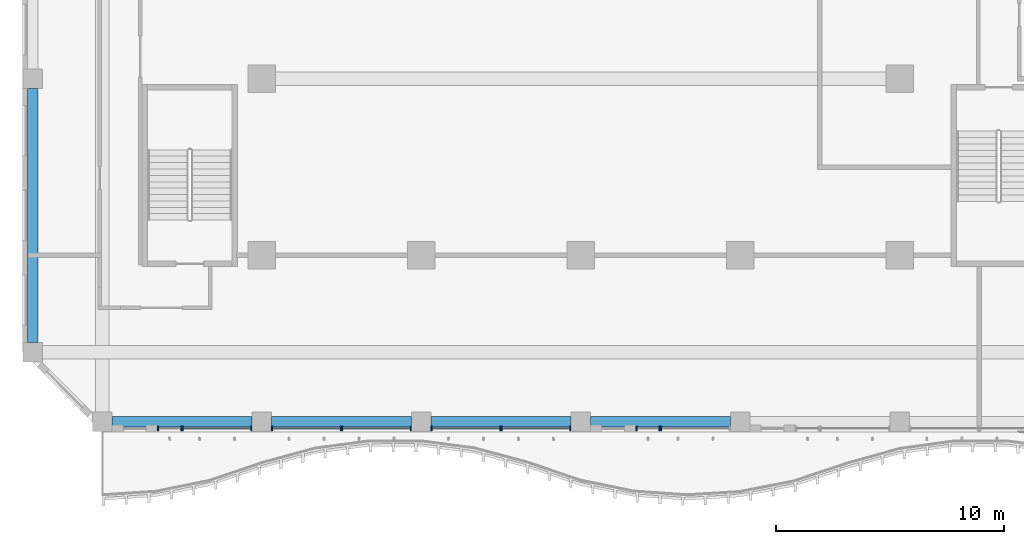
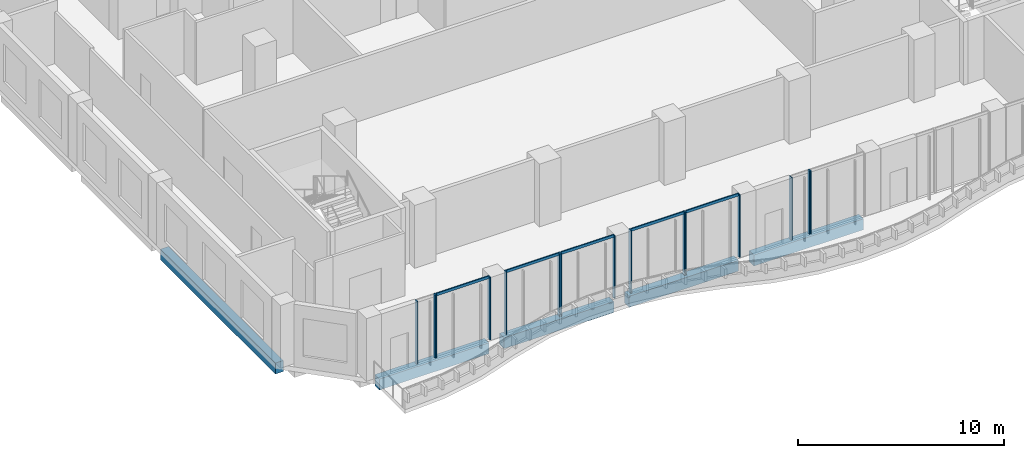
# One storey, part 2 of 27: 20 members, 5 beams, 8 elements without a shape of their own.
"""IFC4 building model written with IfcOpenShell, lengths in metres."""

from ifc_helpers import new_model, si_unit, direction, frame, origin, origin_2d, place, context, subcontext, project, spatial, rectangle, extrude, source, transform, mapped, material, material_profile, profile_set, type_object, element, aggregate, save


model = new_model("IFC4")

# Units and contexts
model_context = context("Model", 3, precision=1e-05, world=origin(), true_north=direction((0.0, 1.0)))
body_context = subcontext(model_context, "Body", "Model", "MODEL_VIEW")
ifc_project = project(units=[si_unit("LENGTHUNIT", "METRE"), si_unit("AREAUNIT", "SQUARE_METRE"), si_unit("VOLUMEUNIT", "CUBIC_METRE"), si_unit("PLANEANGLEUNIT", "RADIAN"), si_unit("MASSUNIT", "GRAM", prefix="KILO")], contexts=[model_context])

# Site, building, storey
site_placement = place(None, origin())
site = spatial("IfcSite", under=ifc_project, at=site_placement, CompositionType="ELEMENT")
building_placement = place(site_placement, origin())
building = spatial("IfcBuilding", under=site, at=building_placement, Name="Kilnfold Tower and Market Hall", CompositionType="ELEMENT")
storey_placement = place(building_placement, frame((0.0, 0.0, 112.60009765625)))
storey = spatial("IfcBuildingStorey", under=building, at=storey_placement, Name="L26", CompositionType="ELEMENT", Elevation=112.60009765625)

# Beams
ifc_material_1 = material(Name="Concrete C45", Category="concrete")
ifc_material_profile_1 = material_profile(ifc_material_1, rectangle(XDim=0.449951171875, YDim=0.64990234375, at=origin_2d()), Name="RC 450x650")
ifc_profile_set_1 = profile_set([ifc_material_profile_1], Name="Concrete C45")
beam_type = type_object("IfcBeamType", Name="EDGE BEAM 450X650 C45", PredefinedType="BEAM", material=ifc_profile_set_1)
shared_shape_1 = source(origin(), body_context, "Body", "SweptSolid", [
    extrude(rectangle(XDim=0.449951171875, YDim=0.64990234375, at=origin_2d()), origin(), (0.0, 0.0, 1.0), 6.14990234375),
])
for number, where, z_axis, x_axis, name in (
    (1, (-19.074951171875, -22.550048828125, -0.60498046875), (1.0, 0.0, 0.0), (0.0, 1.0, 0.0), "Beam EB650-B3.52"),
    (2, (-12.074951171875, -22.550048828125, -0.60498046875), (1.0, 0.0, 0.0), (0.0, 1.0, 0.0), "Beam EB650-B3.53"),
    (3, (-5.074951171875, -22.550048828125, -0.60498046875), (1.0, 0.0, 0.0), (0.0, 1.0, 0.0), "Beam EB650-B3.54"),
    (4, (1.925048828125, -22.550048828125, -0.60498046875), (1.0, 0.0, 0.0), (0.0, 1.0, 0.0), "Beam EB650-B3.55"),
):
    element("IfcBeam", number, at=place(storey_placement, frame(where, z_axis=z_axis, x_axis=x_axis)), inside=storey, type_object=beam_type, Name=name, PredefinedType="BEAM", context=body_context, shape_type="MappedRepresentation", body=[
        mapped(shared_shape_1, transform((0.0, 0.0, 0.0))),
    ])
shared_shape_2 = source(origin(), body_context, "Body", "SweptSolid", [
    extrude(rectangle(XDim=0.449951171875, YDim=0.64990234375, at=origin_2d()), origin(), (0.0, 0.0, 1.0), 11.14990234375),
])
beam_placement = place(storey_placement, frame((-22.550048828125, -19.074951171875, -0.60498046875), z_axis=(0.0, 1.0, 0.0), x_axis=(-1.0, 0.0, 0.0)))
element("IfcBeam", 5, at=beam_placement, inside=storey, type_object=beam_type, Name="Beam EB650-B3.74", PredefinedType="BEAM", context=body_context, shape_type="MappedRepresentation", body=[
    mapped(shared_shape_2, transform((0.0, 0.0, 0.0))),
])

# Curtain wall, members
ifc_material_2 = material(Name="Aluminium and double glazing", Category="aluminium")
curtain_wall_type = type_object("IfcCurtainWallType", Name="CW OF2 VALLEY GLAZING", PredefinedType="NOTDEFINED", material=ifc_material_2)
curtain_wall_1_placement = place(storey_placement, origin())
curtain_wall_1 = element("IfcCurtainWall", 6, at=curtain_wall_1_placement, inside=storey, type_object=curtain_wall_type, Name="Curtain wall CW2 L26 S", PredefinedType="NOTDEFINED")
ifc_material_3 = material(Name="Aluminium", Category="aluminium")
ifc_material_profile_2 = material_profile(ifc_material_3, rectangle(XDim=0.06005859375, YDim=0.199951171875, at=origin_2d()), Name="MULLION 60x200")
ifc_profile_set_2 = profile_set([ifc_material_profile_2], Name="Aluminium")
member_type_1 = type_object("IfcMemberType", Name="MULLION 60X200", PredefinedType="MULLION", material=ifc_profile_set_2)
shared_shape_3 = source(origin(), body_context, "Body", "SweptSolid", [
    extrude(rectangle(XDim=0.06005859375, YDim=0.199951171875, at=origin_2d()), origin(), (0.0, 0.0, 1.0), 3.719970703125),
])
member_1_placement = place(storey_placement, frame((-17.044921875, -22.85009765625, 0.0), z_axis=(0.0, 0.0, 1.0), x_axis=(1.0, 0.0, 0.0)))
member_1 = element("IfcMember", 7, at=member_1_placement, type_object=member_type_1, Name="CW2 mullion 1", PredefinedType="MULLION", context=body_context, shape_type="MappedRepresentation", body=[
    mapped(shared_shape_3, transform((0.0, 0.0, 0.0))),
])
member_2_placement = place(storey_placement, frame((-16.030029296875, -22.85009765625, 0.0), z_axis=(0.0, 0.0, 1.0), x_axis=(1.0, 0.0, 0.0)))
member_2 = element("IfcMember", 8, at=member_2_placement, type_object=member_type_1, Name="CW2 mullion 2", PredefinedType="MULLION", context=body_context, shape_type="MappedRepresentation", body=[
    mapped(shared_shape_3, transform((0.0, 0.0, 0.0))),
])
aggregate(curtain_wall_1, [member_1, member_2])

curtain_wall_2_placement = place(storey_placement, origin())
curtain_wall_2 = element("IfcCurtainWall", 9, at=curtain_wall_2_placement, inside=storey, type_object=curtain_wall_type, Name="Curtain wall CW2 L26 S", PredefinedType="NOTDEFINED")
member_3_placement = place(storey_placement, frame((-15.969970703125, -22.85009765625, 0.0), z_axis=(0.0, 0.0, 1.0), x_axis=(1.0, 0.0, 0.0)))
member_3 = element("IfcMember", 10, at=member_3_placement, type_object=member_type_1, Name="CW2 mullion 1", PredefinedType="MULLION", context=body_context, shape_type="MappedRepresentation", body=[
    mapped(shared_shape_3, transform((0.0, 0.0, 0.0))),
])
member_4_placement = place(storey_placement, frame((-12.955078125, -22.85009765625, 0.0), z_axis=(0.0, 0.0, 1.0), x_axis=(1.0, 0.0, 0.0)))
member_4 = element("IfcMember", 11, at=member_4_placement, type_object=member_type_1, Name="CW2 mullion 2", PredefinedType="MULLION", context=body_context, shape_type="MappedRepresentation", body=[
    mapped(shared_shape_3, transform((0.0, 0.0, 0.0))),
])

curtain_wall_3_placement = place(storey_placement, origin())
curtain_wall_3 = element("IfcCurtainWall", 12, at=curtain_wall_3_placement, inside=storey, type_object=curtain_wall_type, Name="Curtain wall CW2 L26 S", PredefinedType="NOTDEFINED")
member_5_placement = place(storey_placement, frame((-12.044921875, -22.85009765625, 0.0), z_axis=(0.0, 0.0, 1.0), x_axis=(1.0, 0.0, 0.0)))
member_5 = element("IfcMember", 13, at=member_5_placement, type_object=member_type_1, Name="CW2 mullion 1", PredefinedType="MULLION", context=body_context, shape_type="MappedRepresentation", body=[
    mapped(shared_shape_3, transform((0.0, 0.0, 0.0))),
])
member_6_placement = place(storey_placement, frame((-9.030029296875, -22.85009765625, 0.0), z_axis=(0.0, 0.0, 1.0), x_axis=(1.0, 0.0, 0.0)))
member_6 = element("IfcMember", 14, at=member_6_placement, type_object=member_type_1, Name="CW2 mullion 2", PredefinedType="MULLION", context=body_context, shape_type="MappedRepresentation", body=[
    mapped(shared_shape_3, transform((0.0, 0.0, 0.0))),
])

curtain_wall_4_placement = place(storey_placement, origin())
curtain_wall_4 = element("IfcCurtainWall", 15, at=curtain_wall_4_placement, inside=storey, type_object=curtain_wall_type, Name="Curtain wall CW2 L26 S", PredefinedType="NOTDEFINED")
member_7_placement = place(storey_placement, frame((-8.969970703125, -22.85009765625, 0.0), z_axis=(0.0, 0.0, 1.0), x_axis=(1.0, 0.0, 0.0)))
member_7 = element("IfcMember", 16, at=member_7_placement, type_object=member_type_1, Name="CW2 mullion 1", PredefinedType="MULLION", context=body_context, shape_type="MappedRepresentation", body=[
    mapped(shared_shape_3, transform((0.0, 0.0, 0.0))),
])
member_8_placement = place(storey_placement, frame((-5.955078125, -22.85009765625, 0.0), z_axis=(0.0, 0.0, 1.0), x_axis=(1.0, 0.0, 0.0)))
member_8 = element("IfcMember", 17, at=member_8_placement, type_object=member_type_1, Name="CW2 mullion 2", PredefinedType="MULLION", context=body_context, shape_type="MappedRepresentation", body=[
    mapped(shared_shape_3, transform((0.0, 0.0, 0.0))),
])

curtain_wall_5_placement = place(storey_placement, origin())
curtain_wall_5 = element("IfcCurtainWall", 18, at=curtain_wall_5_placement, inside=storey, type_object=curtain_wall_type, Name="Curtain wall CW2 L26 S", PredefinedType="NOTDEFINED")
member_9_placement = place(storey_placement, frame((-5.044921875, -22.85009765625, 0.0), z_axis=(0.0, 0.0, 1.0), x_axis=(1.0, 0.0, 0.0)))
member_9 = element("IfcMember", 19, at=member_9_placement, type_object=member_type_1, Name="CW2 mullion 1", PredefinedType="MULLION", context=body_context, shape_type="MappedRepresentation", body=[
    mapped(shared_shape_3, transform((0.0, 0.0, 0.0))),
])
member_10_placement = place(storey_placement, frame((-2.030029296875, -22.85009765625, 0.0), z_axis=(0.0, 0.0, 1.0), x_axis=(1.0, 0.0, 0.0)))
member_10 = element("IfcMember", 20, at=member_10_placement, type_object=member_type_1, Name="CW2 mullion 2", PredefinedType="MULLION", context=body_context, shape_type="MappedRepresentation", body=[
    mapped(shared_shape_3, transform((0.0, 0.0, 0.0))),
])

curtain_wall_6_placement = place(storey_placement, origin())
curtain_wall_6 = element("IfcCurtainWall", 21, at=curtain_wall_6_placement, inside=storey, type_object=curtain_wall_type, Name="Curtain wall CW2 L26 S", PredefinedType="NOTDEFINED")
member_11_placement = place(storey_placement, frame((-1.969970703125, -22.85009765625, 0.0), z_axis=(0.0, 0.0, 1.0), x_axis=(1.0, 0.0, 0.0)))
member_11 = element("IfcMember", 22, at=member_11_placement, type_object=member_type_1, Name="CW2 mullion 1", PredefinedType="MULLION", context=body_context, shape_type="MappedRepresentation", body=[
    mapped(shared_shape_3, transform((0.0, 0.0, 0.0))),
])
member_12_placement = place(storey_placement, frame((1.044921875, -22.85009765625, 0.0), z_axis=(0.0, 0.0, 1.0), x_axis=(1.0, 0.0, 0.0)))
member_12 = element("IfcMember", 23, at=member_12_placement, type_object=member_type_1, Name="CW2 mullion 2", PredefinedType="MULLION", context=body_context, shape_type="MappedRepresentation", body=[
    mapped(shared_shape_3, transform((0.0, 0.0, 0.0))),
])

curtain_wall_7_placement = place(storey_placement, origin())
curtain_wall_7 = element("IfcCurtainWall", 24, at=curtain_wall_7_placement, inside=storey, type_object=curtain_wall_type, Name="Curtain wall CW2 L26 S", PredefinedType="NOTDEFINED")
member_13_placement = place(storey_placement, frame((3.955078125, -22.85009765625, 0.0), z_axis=(0.0, 0.0, 1.0), x_axis=(1.0, 0.0, 0.0)))
member_13 = element("IfcMember", 25, at=member_13_placement, type_object=member_type_1, Name="CW2 mullion 1", PredefinedType="MULLION", context=body_context, shape_type="MappedRepresentation", body=[
    mapped(shared_shape_3, transform((0.0, 0.0, 0.0))),
])
member_14_placement = place(storey_placement, frame((4.969970703125, -22.85009765625, 0.0), z_axis=(0.0, 0.0, 1.0), x_axis=(1.0, 0.0, 0.0)))
member_14 = element("IfcMember", 26, at=member_14_placement, type_object=member_type_1, Name="CW2 mullion 2", PredefinedType="MULLION", context=body_context, shape_type="MappedRepresentation", body=[
    mapped(shared_shape_3, transform((0.0, 0.0, 0.0))),
])
aggregate(curtain_wall_7, [member_13, member_14])

# Curtain wall, member
curtain_wall_8_placement = place(storey_placement, origin())
curtain_wall_8 = element("IfcCurtainWall", 27, at=curtain_wall_8_placement, inside=storey, type_object=curtain_wall_type, Name="Curtain wall CW2 L26 S", PredefinedType="NOTDEFINED")
member_15_placement = place(storey_placement, frame((5.030029296875, -22.85009765625, 0.0), z_axis=(0.0, 0.0, 1.0), x_axis=(1.0, 0.0, 0.0)))
member_15 = element("IfcMember", 28, at=member_15_placement, type_object=member_type_1, Name="CW2 mullion 1", PredefinedType="MULLION", context=body_context, shape_type="MappedRepresentation", body=[
    mapped(shared_shape_3, transform((0.0, 0.0, 0.0))),
])
aggregate(curtain_wall_8, [member_15])

# Member
ifc_material_4 = material(Name="Aluminium", Category="aluminium")
ifc_material_profile_3 = material_profile(ifc_material_4, rectangle(XDim=0.06005859375, YDim=0.159912109375, at=origin_2d()), Name="TRANSOM 60x160")
ifc_profile_set_3 = profile_set([ifc_material_profile_3], Name="Aluminium")
member_type_2 = type_object("IfcMemberType", Name="TRANSOM 60X160", PredefinedType="USERDEFINED", material=ifc_profile_set_3)
shared_shape_4 = source(origin(), body_context, "Body", "SweptSolid", [
    extrude(rectangle(XDim=0.06005859375, YDim=0.159912109375, at=origin_2d()), origin(), (0.0, 0.0, 1.0), 2.954833984375),
])
member_16_placement = place(storey_placement, frame((-15.93994140625, -22.85009765625, 3.68994140625), z_axis=(1.0, 0.0, 0.0), x_axis=(0.0, 1.0, 0.0)))
member_16 = element("IfcMember", 29, at=member_16_placement, type_object=member_type_2, Name="CW2 transom 1.2", ObjectType="TRANSOM", PredefinedType="USERDEFINED", context=body_context, shape_type="MappedRepresentation", body=[
    mapped(shared_shape_4, transform((0.0, 0.0, 0.0))),
])

aggregate(curtain_wall_2, [member_3, member_4, member_16])

member_17_placement = place(storey_placement, frame((-12.014892578125, -22.85009765625, 3.68994140625), z_axis=(1.0, 0.0, 0.0), x_axis=(0.0, 1.0, 0.0)))
member_17 = element("IfcMember", 30, at=member_17_placement, type_object=member_type_2, Name="CW2 transom 1.2", ObjectType="TRANSOM", PredefinedType="USERDEFINED", context=body_context, shape_type="MappedRepresentation", body=[
    mapped(shared_shape_4, transform((0.0, 0.0, 0.0))),
])

aggregate(curtain_wall_3, [member_5, member_6, member_17])

member_18_placement = place(storey_placement, frame((-8.93994140625, -22.85009765625, 3.68994140625), z_axis=(1.0, 0.0, 0.0), x_axis=(0.0, 1.0, 0.0)))
member_18 = element("IfcMember", 31, at=member_18_placement, type_object=member_type_2, Name="CW2 transom 1.2", ObjectType="TRANSOM", PredefinedType="USERDEFINED", context=body_context, shape_type="MappedRepresentation", body=[
    mapped(shared_shape_4, transform((0.0, 0.0, 0.0))),
])

aggregate(curtain_wall_4, [member_7, member_8, member_18])

member_19_placement = place(storey_placement, frame((-5.014892578125, -22.85009765625, 3.68994140625), z_axis=(1.0, 0.0, 0.0), x_axis=(0.0, 1.0, 0.0)))
member_19 = element("IfcMember", 32, at=member_19_placement, type_object=member_type_2, Name="CW2 transom 1.2", ObjectType="TRANSOM", PredefinedType="USERDEFINED", context=body_context, shape_type="MappedRepresentation", body=[
    mapped(shared_shape_4, transform((0.0, 0.0, 0.0))),
])

aggregate(curtain_wall_5, [member_9, member_10, member_19])

member_20_placement = place(storey_placement, frame((-1.93994140625, -22.85009765625, 3.68994140625), z_axis=(1.0, 0.0, 0.0), x_axis=(0.0, 1.0, 0.0)))
member_20 = element("IfcMember", 33, at=member_20_placement, type_object=member_type_2, Name="CW2 transom 1.2", ObjectType="TRANSOM", PredefinedType="USERDEFINED", context=body_context, shape_type="MappedRepresentation", body=[
    mapped(shared_shape_4, transform((0.0, 0.0, 0.0))),
])

aggregate(curtain_wall_6, [member_11, member_12, member_20])

save(model, "model.ifc")
